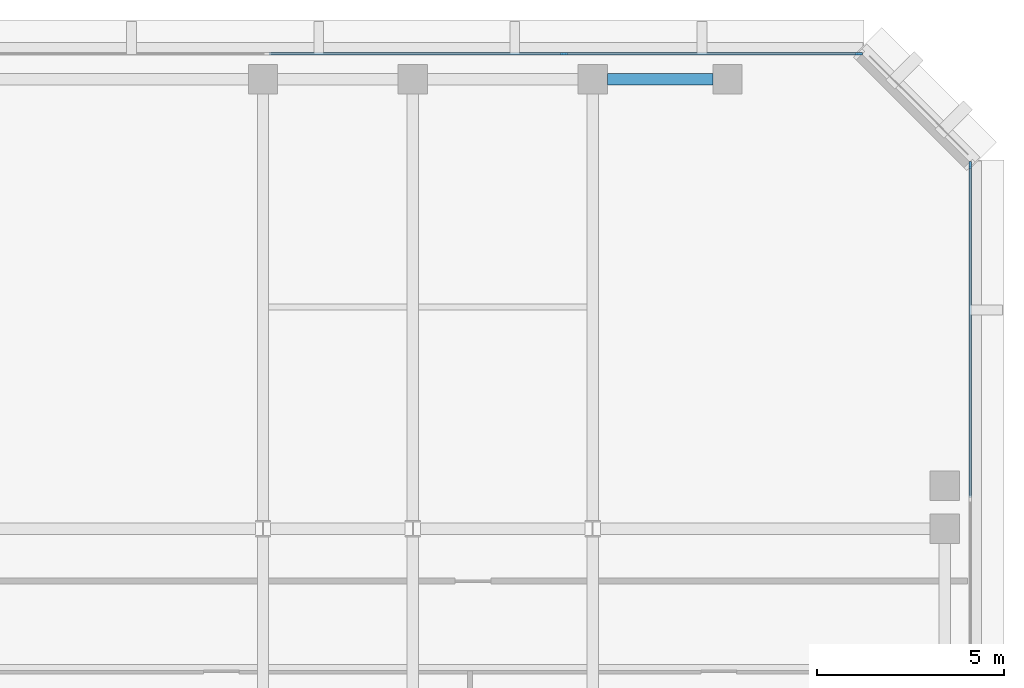
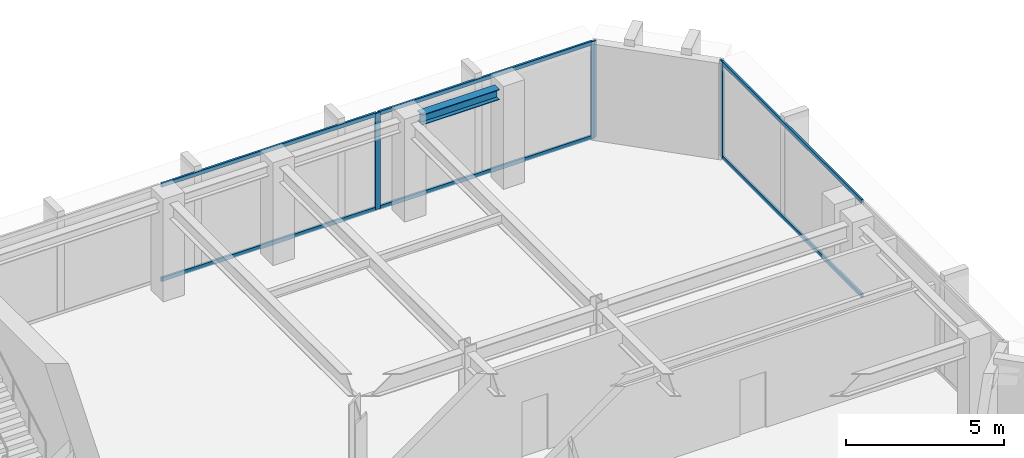
# One storey, part 5 of 12: 9 members, 1 beam, 2 elements without a shape of their own.
"""IFC4 building model written with IfcOpenShell, lengths in metres."""

import ifcopenshell
import ifcopenshell.guid

model = None  # the IFC model being written
_history = None  # IfcOwnerHistory: only IFC2X3 demands one
_inside = {}  # id of a spatial element -> (the spatial element, [elements in it])
_under = {}  # id of a project, library or spatial element -> (it, [spatial elements below it])
_declared = {}  # id of a project -> (the project, [libraries it declares])
_typed = {}  # id of a type object -> (the type object, [elements of that type])
_made_of = {}  # id of a material, layer set ... -> (it, [elements and type objects made of it])


def new_model(schema):
    """Start an empty IFC model of exactly this schema.

    Asked for "IFC4X3", IfcOpenShell would pick the latest addendum, in which some entities
    have other attributes; the version numbers below select the first issue.
    IFC2X3 requires an IfcOwnerHistory on every rooted entity: one is made here for all.
    """
    global model, _history
    if schema == "IFC4X3":
        model = ifcopenshell.file(schema_version=(4, 3, 0, 0))
    else:
        model = ifcopenshell.file(schema=schema)
    _inside.clear()
    _under.clear()
    _declared.clear()
    _typed.clear()
    _made_of.clear()
    _history = None
    if model.schema == "IFC2X3":
        org = make("IfcOrganization", Name="unknown")
        user = make(
            "IfcPersonAndOrganization",
            ThePerson=make("IfcPerson", FamilyName="unknown"),
            TheOrganization=org,
        )
        app = make(
            "IfcApplication",
            ApplicationDeveloper=org,
            Version="unknown",
            ApplicationFullName="unknown",
            ApplicationIdentifier="unknown",
        )
        _history = make(
            "IfcOwnerHistory",
            OwningUser=user,
            OwningApplication=app,
            ChangeAction="ADDED",
            CreationDate=0,
        )
    return model


def make(cls, **values):
    """One entity of the class cls with the attributes given. An attribute that is None is left unset."""
    return model.create_entity(
        cls, **{name: value for name, value in values.items() if value is not None}
    )


def rooted(cls, **values):
    """An entity with a GlobalId (a new one), such as an element, a storey or a relation."""
    return make(cls, GlobalId=ifcopenshell.guid.new(), OwnerHistory=_history, **values)


def si_unit(unit_type, name, prefix=None):
    """IfcSIUnit, for example si_unit("LENGTHUNIT", "METRE", prefix="MILLI")."""
    return make("IfcSIUnit", UnitType=unit_type, Prefix=prefix, Name=name)


def assignment(units):
    """IfcUnitAssignment: the units of a project."""
    return None if units is None else make("IfcUnitAssignment", Units=units)


def point(xyz):
    """IfcCartesianPoint."""
    return None if xyz is None else make("IfcCartesianPoint", Coordinates=xyz)


def direction(xyz):
    """IfcDirection."""
    return None if xyz is None else make("IfcDirection", DirectionRatios=xyz)


def frame(location, z_axis=None, x_axis=None):
    """IfcAxis2Placement3D, a coordinate frame: its origin and axes. An axis left out is left unset."""
    return make(
        "IfcAxis2Placement3D",
        Location=point(location),
        Axis=direction(z_axis),
        RefDirection=direction(x_axis),
    )


def frame_2d(location, x_axis=None):
    """IfcAxis2Placement2D, a coordinate frame in the plane: its origin and x axis."""
    return make(
        "IfcAxis2Placement2D", Location=point(location), RefDirection=direction(x_axis)
    )


def origin():
    """The frame at (0, 0, 0) with its axes left unset."""
    return frame((0.0, 0.0, 0.0))


def origin_2d():
    """The frame at (0, 0) in the plane with its x axis left unset."""
    return frame_2d((0.0, 0.0))


def place(relative_to, where):
    """IfcLocalPlacement: puts the frame where relative to a parent placement (None: the world)."""
    return make(
        "IfcLocalPlacement", PlacementRelTo=relative_to, RelativePlacement=where
    )


def context(
    kind, dimensions, precision=None, world=None, true_north=None, identifier=None
):
    """IfcGeometricRepresentationContext, for example the 3D "Model" context."""
    return make(
        "IfcGeometricRepresentationContext",
        ContextIdentifier=identifier,
        ContextType=kind,
        CoordinateSpaceDimension=dimensions,
        Precision=precision,
        WorldCoordinateSystem=world,
        TrueNorth=true_north,
    )


def subcontext(parent, identifier, kind, view, scale=None):
    """IfcGeometricRepresentationSubContext, for example "Body" below "Model"."""
    return make(
        "IfcGeometricRepresentationSubContext",
        ContextIdentifier=identifier,
        ContextType=kind,
        ParentContext=parent,
        TargetScale=scale,
        TargetView=view,
    )


def project(units=None, contexts=None):
    """IfcProject with its units and contexts."""
    return rooted(
        "IfcProject",
        Name="project",
        RepresentationContexts=contexts,
        UnitsInContext=assignment(units),
    )


def spatial(cls, under=None, at=None, **own):
    """A site, building, storey or space (cls), placed at a placement, below another one or the project."""
    s = rooted(cls, ObjectPlacement=at, **own)
    if under is not None:
        _under.setdefault(under.id(), (under, []))[1].append(s)
    return s


def profile(cls, at=None, kind="AREA", **sizes):
    """A parametric profile (cls). Its sizes go by their IFC names, for example OverallWidth=200.0."""
    return make(cls, ProfileType=kind, Position=at, **sizes)


def rectangle(**sizes):
    """IfcRectangleProfileDef."""
    return profile("IfcRectangleProfileDef", **sizes)


def i_section(**sizes):
    """IfcIShapeProfileDef."""
    return profile("IfcIShapeProfileDef", **sizes)


def extrude(swept, where, along, depth):
    """IfcExtrudedAreaSolid: the profile swept, set in the frame where, extruded along a direction by depth."""
    return make(
        "IfcExtrudedAreaSolid",
        SweptArea=swept,
        Position=where,
        ExtrudedDirection=direction(along),
        Depth=depth,
    )


def shape(context_of_items, identifier, shape_type, items):
    """IfcShapeRepresentation: the items that make up one representation, for example the "Body"."""
    return make(
        "IfcShapeRepresentation",
        ContextOfItems=context_of_items,
        RepresentationIdentifier=identifier,
        RepresentationType=shape_type,
        Items=items,
    )


def material(Name=None, Category=None):
    """IfcMaterial."""
    return make("IfcMaterial", Name=Name, Category=Category)


def layer(
    of_material, thickness, ventilated=None, Name=None, Category=None, Priority=None
):
    """IfcMaterialLayer: one layer of a wall or slab, of a material (None: an air gap)."""
    return make(
        "IfcMaterialLayer",
        Material=of_material,
        LayerThickness=thickness,
        IsVentilated=ventilated,
        Name=Name,
        Category=Category,
        Priority=Priority,
    )


def layer_set(layers, Name=None):
    """IfcMaterialLayerSet."""
    return make("IfcMaterialLayerSet", MaterialLayers=layers, LayerSetName=Name)


def material_profile(
    of_material, cross_section, Name=None, Category=None, Priority=None
):
    """IfcMaterialProfile: a cross section and its material."""
    return make(
        "IfcMaterialProfile",
        Name=Name,
        Material=of_material,
        Profile=cross_section,
        Priority=Priority,
        Category=Category,
    )


def profile_set(profiles, Name=None, composite=None):
    """IfcMaterialProfileSet."""
    return make(
        "IfcMaterialProfileSet",
        Name=Name,
        MaterialProfiles=profiles,
        CompositeProfile=composite,
    )


def made_of(thing, what):
    """Note that an element or type object is made of a material, layer set ...; save() writes the relation."""
    if what is not None:
        _made_of.setdefault(what.id(), (what, []))[1].append(thing)
    return thing


def type_object(cls, material=None, **own):
    """A type object (cls), such as IfcWallType, which elements share."""
    return made_of(rooted(cls, **own), material)


def element(
    cls,
    number,
    at=None,
    inside=None,
    cuts=None,
    type_object=None,
    material=None,
    context=None,
    identifier="Body",
    shape_type=None,
    held_by="IfcProductDefinitionShape",
    body=None,
    shapes=None,
    **own,
):
    """One element of the class cls, such as IfcWall. Its Tag is "e" and its number.

    at: its placement. inside: the storey or other place that contains it. cuts: it is an
    opening in that element (IfcRelVoidsElement). A single representation is given by context,
    identifier, shape_type and body (its items); several are given by shapes. held_by: the class
    of the entity that holds the representations. save() writes the other relations.
    """
    e = rooted(cls, Tag="e%d" % number, ObjectPlacement=at, **own)
    if body is not None:
        shapes = [shape(context, identifier, shape_type, body)]
    if shapes is not None:
        e.Representation = make(held_by, Representations=shapes)
    if inside is not None:
        _inside.setdefault(inside.id(), (inside, []))[1].append(e)
    if cuts is not None:
        rooted(
            "IfcRelVoidsElement", RelatingBuildingElement=cuts, RelatedOpeningElement=e
        )
    if type_object is not None:
        _typed.setdefault(type_object.id(), (type_object, []))[1].append(e)
    return made_of(e, material)


def aggregate(whole, parts):
    """IfcRelAggregates: a whole, such as a stair, and the parts it consists of."""
    return rooted("IfcRelAggregates", RelatingObject=whole, RelatedObjects=parts)


def save(model, path):
    """Write the relations noted so far, then the file.

    IfcRelAggregates (storeys below a building ...), IfcRelContainedInSpatialStructure (elements
    in a storey), IfcRelDefinesByType, IfcRelAssociatesMaterial and IfcRelDeclares: one each for
    every whole, place, type object, material and project.
    """
    for whole, parts in _under.values():
        aggregate(whole, parts)
    for where, things in _inside.values():
        rooted(
            "IfcRelContainedInSpatialStructure",
            RelatedElements=things,
            RelatingStructure=where,
        )
    for kind, things in _typed.values():
        rooted("IfcRelDefinesByType", RelatedObjects=things, RelatingType=kind)
    for what, things in _made_of.values():
        rooted("IfcRelAssociatesMaterial", RelatedObjects=things, RelatingMaterial=what)
    for by, libraries in _declared.values():
        rooted("IfcRelDeclares", RelatingContext=by, RelatedDefinitions=libraries)
    model.write(path)


model = new_model("IFC4")

# Units and contexts
model_context = context("Model", 3, precision=1e-05, world=origin(), true_north=direction((0.0, 1.0)))
body_context = subcontext(model_context, "Body", "Model", "MODEL_VIEW")
ifc_project = project(units=[si_unit("LENGTHUNIT", "METRE"), si_unit("AREAUNIT", "SQUARE_METRE"), si_unit("VOLUMEUNIT", "CUBIC_METRE"), si_unit("PLANEANGLEUNIT", "RADIAN"), si_unit("MASSUNIT", "GRAM", prefix="KILO")], contexts=[model_context])

# Site, building, storey
site_placement = place(None, origin())
site = spatial("IfcSite", under=ifc_project, at=site_placement, CompositionType="ELEMENT")
building_placement = place(site_placement, origin())
building = spatial("IfcBuilding", under=site, at=building_placement, Name="Kefirva Bronze Tower", CompositionType="ELEMENT")
storey_placement = place(building_placement, frame((0.0, 0.0, 264.330078125)))
storey = spatial("IfcBuildingStorey", under=building, at=storey_placement, Name="L64", CompositionType="ELEMENT", Elevation=264.330078125)

# Curtain wall, member
ifc_material_1 = material(Name="Bronze anodised aluminium", Category="aluminium")
ifc_layer = layer(ifc_material_1, 0.179931640625, Name="Bronze anodised aluminium")
ifc_layer_set = layer_set([ifc_layer], Name="Bronze anodised aluminium")
curtain_wall_type = type_object("IfcCurtainWallType", Name="Unitised Bronze Ribbon Curtain Wall Zone 3", PredefinedType="USERDEFINED", material=ifc_layer_set)
curtain_wall_1_placement = place(storey_placement, origin())
curtain_wall_1 = element("IfcCurtainWall", 1, at=curtain_wall_1_placement, inside=storey, type_object=curtain_wall_type, Name="L64 Curtain Wall 2", ObjectType="UNITISED CURTAIN WALL", PredefinedType="USERDEFINED")
ifc_material_profile_1 = material_profile(ifc_material_1, rectangle(XDim=0.074951171875, YDim=0.179931640625, at=origin_2d()), Name="ALU 75x180")
ifc_profile_set_1 = profile_set([ifc_material_profile_1], Name="Bronze anodised aluminium")
member_type_1 = type_object("IfcMemberType", Name="Bronze Mullion 75x180", PredefinedType="MULLION", material=ifc_profile_set_1)
member_1_placement = place(storey_placement, frame((50.080078125, 42.907470703125, 0.0), z_axis=(0.0, 0.0, 1.0), x_axis=(-1.0, 0.0, 0.0)))
member_1 = element("IfcMember", 2, at=member_1_placement, type_object=member_type_1, Name="CW-03 mullion 3", PredefinedType="MULLION", context=body_context, shape_type="SweptSolid", body=[
    extrude(rectangle(XDim=0.074951171875, YDim=0.179931640625, at=origin_2d()), origin(), (0.0, 0.0, 1.0), 3.7099609375),
])

# Curtain wall, members
curtain_wall_2_placement = place(storey_placement, origin())
curtain_wall_2 = element("IfcCurtainWall", 3, at=curtain_wall_2_placement, inside=storey, type_object=curtain_wall_type, Name="L64 Curtain Wall 3", ObjectType="UNITISED CURTAIN WALL", PredefinedType="USERDEFINED")
member_2_placement = place(storey_placement, frame((47.107421875, 45.8798828125, 0.0), z_axis=(0.0, 0.0, 1.0), x_axis=(0.0, -1.0, 0.0)))
member_2 = element("IfcMember", 4, at=member_2_placement, type_object=member_type_1, Name="CW-03 mullion 1", PredefinedType="MULLION", context=body_context, shape_type="SweptSolid", body=[
    extrude(rectangle(XDim=0.074951171875, YDim=0.179931640625, at=origin_2d()), origin(), (0.0, 0.0, 1.0), 3.7099609375),
])
member_3_placement = place(storey_placement, frame((39.231689453125, 45.8798828125, 0.0), z_axis=(0.0, 0.0, 1.0), x_axis=(0.0, -1.0, 0.0)))
member_3 = element("IfcMember", 5, at=member_3_placement, type_object=member_type_1, Name="CW-03 mullion 2", PredefinedType="MULLION", context=body_context, shape_type="SweptSolid", body=[
    extrude(rectangle(XDim=0.074951171875, YDim=0.179931640625, at=origin_2d()), origin(), (0.0, 0.0, 1.0), 3.7099609375),
])

# Member
ifc_material_profile_2 = material_profile(ifc_material_1, rectangle(XDim=0.074951171875, YDim=0.14990234375, at=origin_2d()), Name="ALU 75x150")
ifc_profile_set_2 = profile_set([ifc_material_profile_2], Name="Bronze anodised aluminium")
member_type_2 = type_object("IfcMemberType", Name="Bronze Transom 75x150", PredefinedType="USERDEFINED", material=ifc_profile_set_2)
member_4_placement = place(storey_placement, frame((50.080078125, 34.03759765625, 0.037353515625), z_axis=(0.0, 1.0, 0.0), x_axis=(-1.0, 0.0, 0.0)))
member_4 = element("IfcMember", 6, at=member_4_placement, type_object=member_type_2, Name="CW-03 transom 2.1", ObjectType="TRANSOM", PredefinedType="USERDEFINED", context=body_context, shape_type="SweptSolid", body=[
    extrude(rectangle(XDim=0.074951171875, YDim=0.14990234375, at=origin_2d()), origin(), (0.0, 0.0, 1.0), 8.83251953125),
])

member_5_placement = place(storey_placement, frame((50.080078125, 34.03759765625, 3.67236328125), z_axis=(0.0, 1.0, 0.0), x_axis=(-1.0, 0.0, 0.0)))
member_5 = element("IfcMember", 7, at=member_5_placement, type_object=member_type_2, Name="CW-03 transom 2.2", ObjectType="TRANSOM", PredefinedType="USERDEFINED", context=body_context, shape_type="SweptSolid", body=[
    extrude(rectangle(XDim=0.074951171875, YDim=0.14990234375, at=origin_2d()), origin(), (0.0, 0.0, 1.0), 8.83251953125),
])

aggregate(curtain_wall_1, [member_1, member_4, member_5])

member_6_placement = place(storey_placement, frame((47.070068359375, 45.8798828125, 0.037353515625), z_axis=(-1.0, 0.0, 0.0), x_axis=(0.0, -1.0, 0.0)))
member_6 = element("IfcMember", 8, at=member_6_placement, type_object=member_type_2, Name="CW-03 transom 1.1", ObjectType="TRANSOM", PredefinedType="USERDEFINED", context=body_context, shape_type="SweptSolid", body=[
    extrude(rectangle(XDim=0.074951171875, YDim=0.14990234375, at=origin_2d()), origin(), (0.0, 0.0, 1.0), 7.80078125),
])

member_7_placement = place(storey_placement, frame((47.070068359375, 45.8798828125, 3.67236328125), z_axis=(-1.0, 0.0, 0.0), x_axis=(0.0, -1.0, 0.0)))
member_7 = element("IfcMember", 9, at=member_7_placement, type_object=member_type_2, Name="CW-03 transom 1.2", ObjectType="TRANSOM", PredefinedType="USERDEFINED", context=body_context, shape_type="SweptSolid", body=[
    extrude(rectangle(XDim=0.074951171875, YDim=0.14990234375, at=origin_2d()), origin(), (0.0, 0.0, 1.0), 7.80078125),
])

member_8_placement = place(storey_placement, frame((39.194091796875, 45.8798828125, 0.037353515625), z_axis=(-1.0, 0.0, 0.0), x_axis=(0.0, -1.0, 0.0)))
member_8 = element("IfcMember", 10, at=member_8_placement, type_object=member_type_2, Name="CW-03 transom 2.1", ObjectType="TRANSOM", PredefinedType="USERDEFINED", context=body_context, shape_type="SweptSolid", body=[
    extrude(rectangle(XDim=0.074951171875, YDim=0.14990234375, at=origin_2d()), origin(), (0.0, 0.0, 1.0), 7.83837890625),
])

member_9_placement = place(storey_placement, frame((39.194091796875, 45.8798828125, 3.67236328125), z_axis=(-1.0, 0.0, 0.0), x_axis=(0.0, -1.0, 0.0)))
member_9 = element("IfcMember", 11, at=member_9_placement, type_object=member_type_2, Name="CW-03 transom 2.2", ObjectType="TRANSOM", PredefinedType="USERDEFINED", context=body_context, shape_type="SweptSolid", body=[
    extrude(rectangle(XDim=0.074951171875, YDim=0.14990234375, at=origin_2d()), origin(), (0.0, 0.0, 1.0), 7.83837890625),
])

aggregate(curtain_wall_2, [member_2, member_3, member_6, member_7, member_8, member_9])

# Beam
ifc_material_2 = material(Name="Steel S355", Category="steel")
ifc_material_profile_3 = material_profile(ifc_material_2, i_section(OverallWidth=0.300048828125, OverallDepth=0.39990234375, WebThickness=0.013427734375, FlangeThickness=0.02392578125, at=origin_2d()), Name="HEB 400")
ifc_profile_set_3 = profile_set([ifc_material_profile_3], Name="Steel S355")
beam_type = type_object("IfcBeamType", Name="Steel Spandrel HEB 400 Ext", PredefinedType="SPANDREL", material=ifc_profile_set_3)
beam_placement = place(storey_placement, frame((40.389892578125, 45.199951171875, 3.510009765625), z_axis=(1.0, 0.0, 0.0), x_axis=(0.0, 1.0, 0.0)))
element("IfcBeam", 12, at=beam_placement, inside=storey, type_object=beam_type, Name="L64 BM-L64-EW-40-452", PredefinedType="SPANDREL", context=body_context, shape_type="SweptSolid", body=[
    extrude(i_section(OverallWidth=0.300048828125, OverallDepth=0.39990234375, WebThickness=0.013427734375, FlangeThickness=0.02392578125, at=origin_2d()), origin(), (0.0, 0.0, 1.0), 2.820068359375),
])

save(model, "model.ifc")
